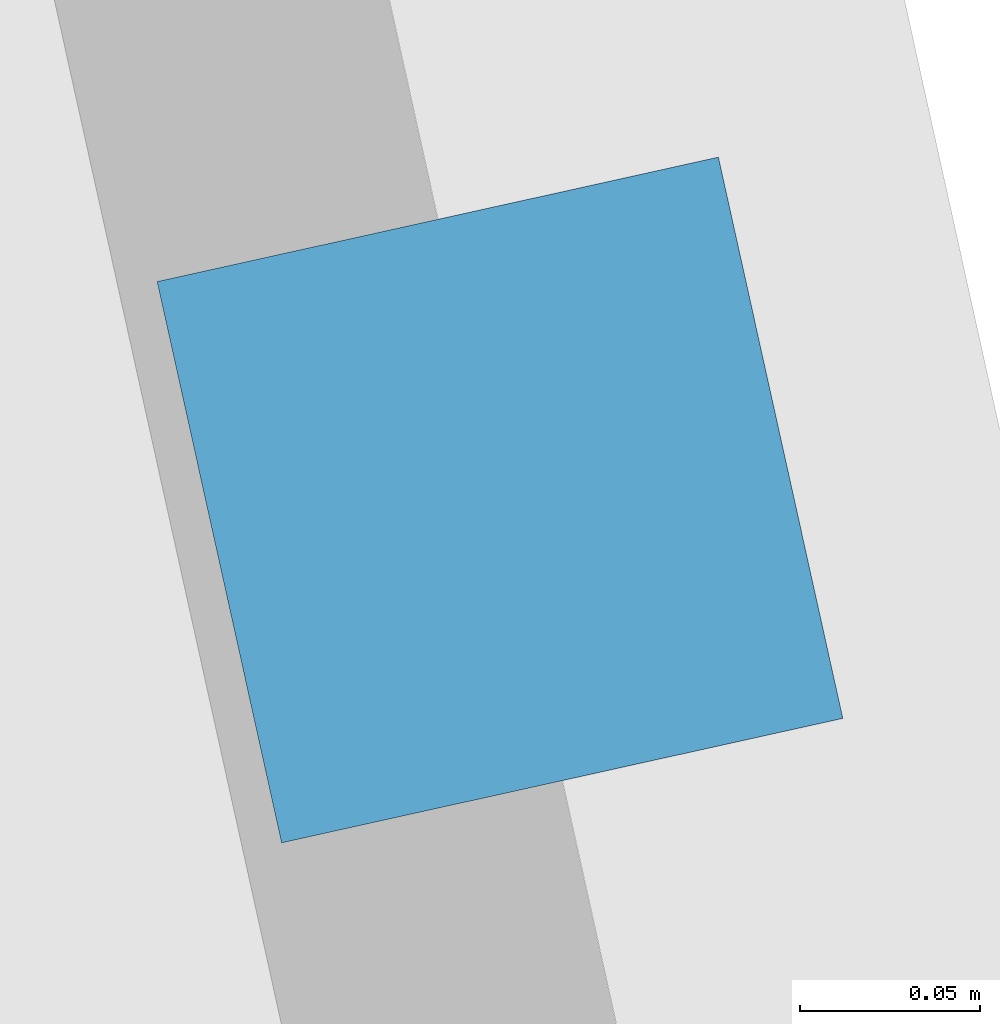
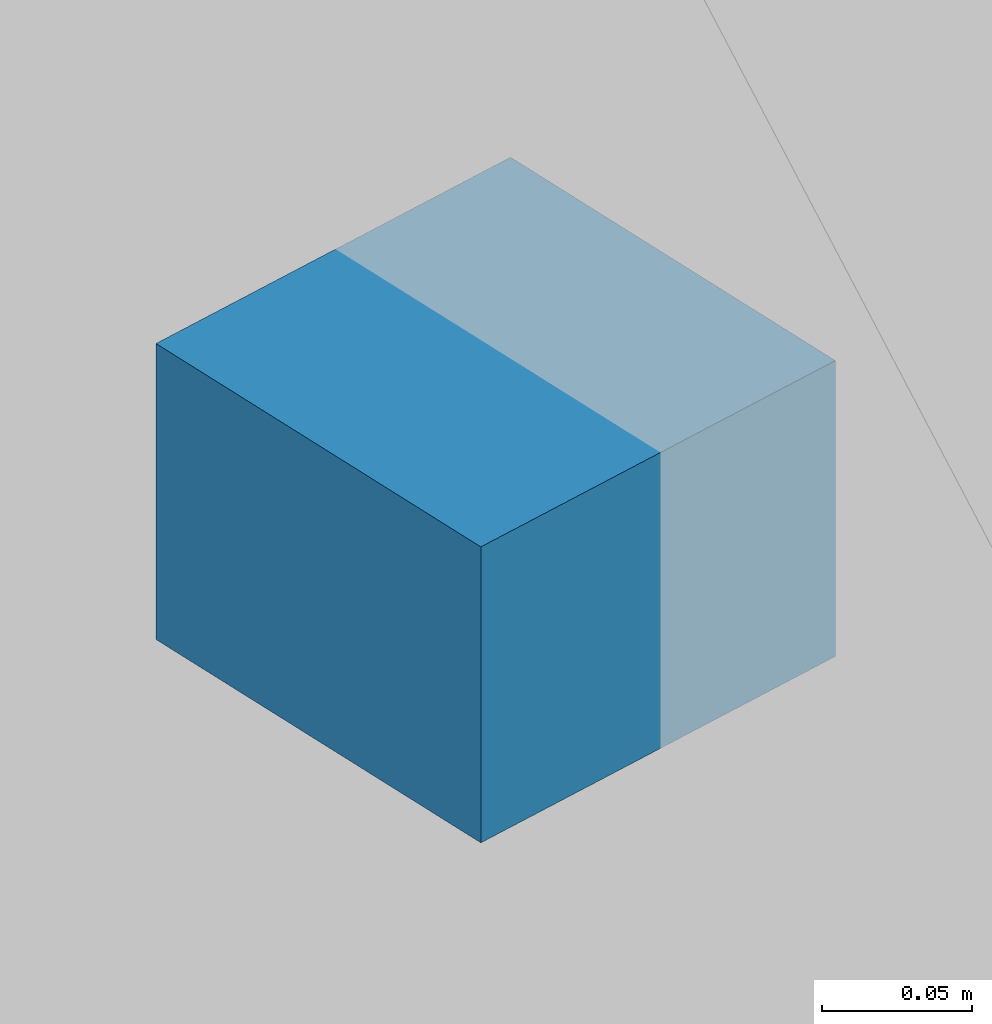
# One storey, part 100 of 109: 1 discrete accessory.
"""IFC4 building model written with IfcOpenShell, lengths in metres."""

from ifc_helpers import new_model, si_unit, direction, frame, origin, origin_2d, place, context, subcontext, project, spatial, rectangle, extrude, material, type_object, element, save


model = new_model("IFC4")

# Units and contexts
model_context = context("Model", 3, precision=1e-05, world=origin(), true_north=direction((0.0, 1.0)))
body_context = subcontext(model_context, "Body", "Model", "MODEL_VIEW")
ifc_project = project(units=[si_unit("LENGTHUNIT", "METRE"), si_unit("AREAUNIT", "SQUARE_METRE"), si_unit("VOLUMEUNIT", "CUBIC_METRE"), si_unit("PLANEANGLEUNIT", "RADIAN"), si_unit("MASSUNIT", "GRAM", prefix="KILO")], contexts=[model_context])

# Site, building, storey
site_placement = place(None, origin())
site = spatial("IfcSite", under=ifc_project, at=site_placement, CompositionType="ELEMENT")
building_placement = place(site_placement, origin())
building = spatial("IfcBuilding", under=site, at=building_placement, Name="Vireo Bluff Cable Station", CompositionType="ELEMENT")
storey_placement = place(building_placement, frame((0.0, 0.0, 4.800048828125)))
storey = spatial("IfcBuildingStorey", under=building, at=storey_placement, Name="L01", CompositionType="ELEMENT", Elevation=4.800048828125)

# Discrete accessory
ifc_material = material(Name="Stainless Steel 316", Category="steel")
discrete_accessory_type = type_object("IfcDiscreteAccessoryType", Name="FACADE-BRACKET-01", PredefinedType="BRACKET", material=ifc_material)
discrete_accessory_placement = place(storey_placement, frame((156.20068359375, 105.04833984375, 2.539794921875), z_axis=(0.0, 0.0, 1.0), x_axis=(0.216439608809, -0.976296008257, 0.0)))
element("IfcDiscreteAccessory", 1, at=discrete_accessory_placement, inside=storey, type_object=discrete_accessory_type, Name="V2 L01 louvre support bracket 14", PredefinedType="BRACKET", context=body_context, shape_type="SweptSolid", body=[
    extrude(rectangle(XDim=0.159912109375, YDim=0.159912109375, at=origin_2d()), origin(), (0.0, 0.0, 1.0), 0.1201171875),
])

save(model, "model.ifc")
